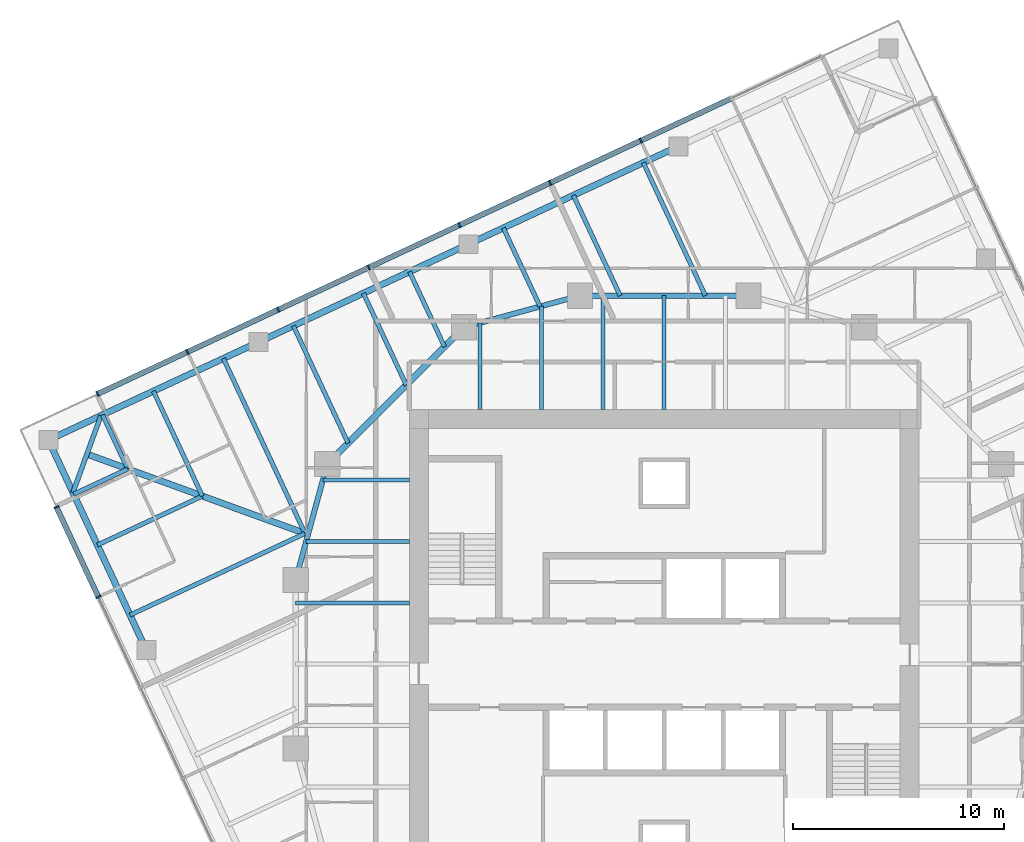
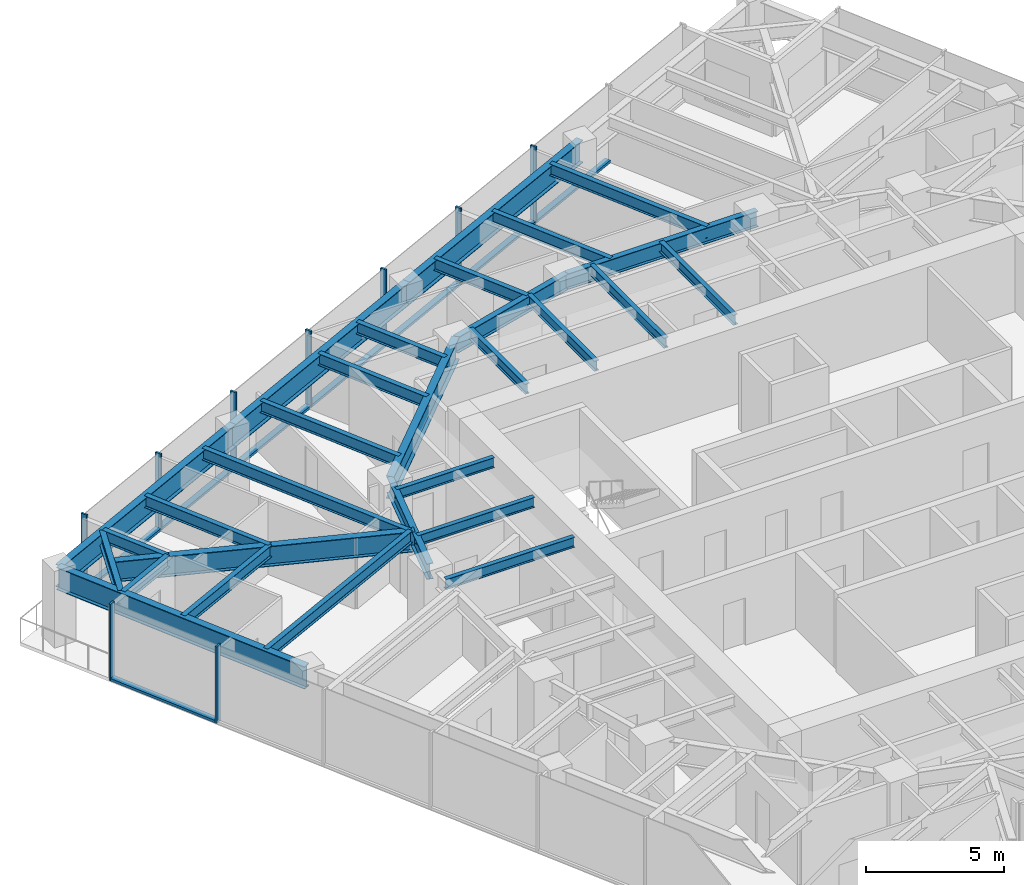
# One storey, part 4 of 13: 29 beams, 17 members, 2 elements without a shape of their own.
"""IFC4 building model written with IfcOpenShell, lengths in metres."""

from ifc_helpers import new_model, si_unit, direction, frame, origin, origin_2d, place, context, subcontext, project, spatial, rectangle, i_section, extrude, material, material_profile, profile_set, type_object, element, aggregate, save


model = new_model("IFC4")

# Units and contexts
model_context = context("Model", 3, precision=1e-05, world=origin(), true_north=direction((0.0, 1.0)))
body_context = subcontext(model_context, "Body", "Model", "MODEL_VIEW")
ifc_project = project(units=[si_unit("LENGTHUNIT", "METRE"), si_unit("AREAUNIT", "SQUARE_METRE"), si_unit("VOLUMEUNIT", "CUBIC_METRE"), si_unit("PLANEANGLEUNIT", "RADIAN"), si_unit("MASSUNIT", "GRAM", prefix="KILO")], contexts=[model_context])

# Site, building, storey
site_placement = place(None, origin())
site = spatial("IfcSite", under=ifc_project, at=site_placement, CompositionType="ELEMENT")
building_placement = place(site_placement, origin())
building = spatial("IfcBuilding", under=site, at=building_placement, Name="Torsade Residences", CompositionType="ELEMENT")
storey_placement = place(building_placement, frame((0.0, 0.0, 176.0)))
storey = spatial("IfcBuildingStorey", under=building, at=storey_placement, Name="L48", CompositionType="ELEMENT", Elevation=176.0)

# Beams
ifc_material_1 = material(Name="Steel grade 300", Category="steel")
ifc_material_profile_1 = material_profile(ifc_material_1, i_section(OverallWidth=0.300048828125, OverallDepth=0.89990234375, WebThickness=0.011962890625, FlangeThickness=0.02490234375, at=origin_2d()), Name="900WB175")
ifc_profile_set_1 = profile_set([ifc_material_profile_1], Name="Steel grade 300")
beam_type_1 = type_object("IfcBeamType", Name="CORNER GIRDER 900WB175", PredefinedType="BEAM", material=ifc_profile_set_1)
beam_1_placement = place(storey_placement, frame((12.5908203125, 39.97607421875, 2.800048828125), z_axis=(0.93969447651, -0.342015044723, 0.0), x_axis=(0.342015044723, 0.93969447651, 0.0)))
element("IfcBeam", 1, at=beam_1_placement, inside=storey, type_object=beam_type_1, Name="Corner girder 13 L49", PredefinedType="BEAM", context=body_context, shape_type="SweptSolid", body=[
    extrude(i_section(OverallWidth=0.300048828125, OverallDepth=0.89990234375, WebThickness=0.011962890625, FlangeThickness=0.02490234375, at=origin_2d()), origin(), (0.0, 0.0, 1.0), 11.170654296875),
])
ifc_material_2 = material(Name="Steel grade 300", Category="steel")
ifc_material_profile_2 = material_profile(ifc_material_2, i_section(OverallWidth=0.22802734375, OverallDepth=0.60205078125, WebThickness=0.010498046875, FlangeThickness=0.014892578125, FilletRadius=0.013916015625, at=origin_2d()), Name="610UB101")
ifc_profile_set_2 = profile_set([ifc_material_profile_2], Name="Steel grade 300")
beam_type_2 = type_object("IfcBeamType", Name="CORNER TRIMMER 610UB101", PredefinedType="BEAM", material=ifc_profile_set_2)
beam_2_placement = place(storey_placement, frame((11.92578125, 38.14892578125, 2.948974609375), z_axis=(0.342005152204, 0.939698076972, 0.0), x_axis=(-0.939698076972, 0.342005152204, 0.0)))
element("IfcBeam", 2, at=beam_2_placement, inside=storey, type_object=beam_type_2, Name="Corner trimmer 13 L49", PredefinedType="BEAM", context=body_context, shape_type="SweptSolid", body=[
    extrude(i_section(OverallWidth=0.22802734375, OverallDepth=0.60205078125, WebThickness=0.010498046875, FlangeThickness=0.014892578125, FilletRadius=0.013916015625, at=origin_2d()), origin(), (0.0, 0.0, 1.0), 3.88916015625),
])
ifc_material_3 = material(Name="Steel grade 300", Category="steel")
ifc_material_profile_3 = material_profile(ifc_material_3, i_section(OverallWidth=0.300048828125, OverallDepth=1.0, WebThickness=0.01611328125, FlangeThickness=0.028076171875, at=origin_2d()), Name="1000WB215")
ifc_profile_set_3 = profile_set([ifc_material_profile_3], Name="Steel grade 300")
beam_type_3 = type_object("IfcBeamType", Name="EDGE BEAM 1000WB215", PredefinedType="SPANDREL", material=ifc_profile_set_3)
beam_3_placement = place(storey_placement, frame((40.671875, 54.587646484375, 2.75), z_axis=(-0.906305009094, -0.422624219007, 0.0), x_axis=(0.422624219007, -0.906305009094, 0.0)))
element("IfcBeam", 3, at=beam_3_placement, inside=storey, type_object=beam_type_3, Name="Edge beam 10 L49", PredefinedType="SPANDREL", context=body_context, shape_type="SweptSolid", body=[
    extrude(i_section(OverallWidth=0.300048828125, OverallDepth=1.0, WebThickness=0.01611328125, FlangeThickness=0.028076171875, at=origin_2d()), origin(), (0.0, 0.0, 1.0), 11.000244140625),
])
for number, where, z_axis, x_axis, name in (
    (4, (30.702392578125, 49.938720703125, 2.75), (-0.906313510001, -0.422605988587, 0.0), (0.422605988587, -0.906313510001, 0.0), "Edge beam 11 L49"),
    (5, (20.73291015625, 45.2900390625, 2.75), (-0.90630104482, -0.422632720171, 0.0), (0.422632720171, -0.90630104482, 0.0), "Edge beam 12 L49"),
):
    element("IfcBeam", number, at=place(storey_placement, frame(where, z_axis=z_axis, x_axis=x_axis)), inside=storey, type_object=beam_type_3, Name=name, PredefinedType="SPANDREL", context=body_context, shape_type="SweptSolid", body=[
        extrude(i_section(OverallWidth=0.300048828125, OverallDepth=1.0, WebThickness=0.01611328125, FlangeThickness=0.028076171875, at=origin_2d()), origin(), (0.0, 0.0, 1.0), 11.0),
    ])
beam_4_placement = place(storey_placement, frame((10.763671875, 40.64111328125, 2.75), z_axis=(0.422614489543, -0.906309546032, 0.0), x_axis=(0.906309546032, 0.422614489543, 0.0)))
element("IfcBeam", 6, at=beam_4_placement, inside=storey, type_object=beam_type_3, Name="Edge beam 13 L49", PredefinedType="SPANDREL", context=body_context, shape_type="SweptSolid", body=[
    extrude(i_section(OverallWidth=0.300048828125, OverallDepth=1.0, WebThickness=0.01611328125, FlangeThickness=0.028076171875, at=origin_2d()), origin(), (0.0, 0.0, 1.0), 10.999755859375),
])
ifc_material_4 = material(Name="Steel grade 300", Category="steel")
ifc_material_profile_4 = material_profile(ifc_material_4, i_section(OverallWidth=0.18994140625, OverallDepth=0.4541015625, WebThickness=0.008544921875, FlangeThickness=0.0126953125, FilletRadius=0.011474609375, at=origin_2d()), Name="460UB67.1")
ifc_profile_set_4 = profile_set([ifc_material_profile_4], Name="Steel grade 300")
beam_type_4 = type_object("IfcBeamType", Name="INNER FLOOR BEAM 460UB67.1", PredefinedType="JOIST", material=ifc_profile_set_4)
beam_5_placement = place(storey_placement, frame((31.262451171875, 42.10009765625, 3.02294921875), z_axis=(0.0, 1.0, 0.0), x_axis=(-1.0, 0.0, 0.0)))
element("IfcBeam", 7, at=beam_5_placement, inside=storey, type_object=beam_type_4, Name="Inner floor beam IN01 L49", PredefinedType="JOIST", context=body_context, shape_type="SweptSolid", body=[
    extrude(i_section(OverallWidth=0.18994140625, OverallDepth=0.4541015625, WebThickness=0.008544921875, FlangeThickness=0.0126953125, FilletRadius=0.011474609375, at=origin_2d()), origin(), (0.0, 0.0, 1.0), 4.10791015625),
])
beam_6_placement = place(storey_placement, frame((34.175048828125, 42.10009765625, 3.02294921875), z_axis=(0.0, 1.0, 0.0), x_axis=(-1.0, 0.0, 0.0)))
element("IfcBeam", 8, at=beam_6_placement, inside=storey, type_object=beam_type_4, Name="Inner floor beam IN02 L49", PredefinedType="JOIST", context=body_context, shape_type="SweptSolid", body=[
    extrude(i_section(OverallWidth=0.18994140625, OverallDepth=0.4541015625, WebThickness=0.008544921875, FlangeThickness=0.0126953125, FilletRadius=0.011474609375, at=origin_2d()), origin(), (0.0, 0.0, 1.0), 4.902099609375),
])
for number, where, z_axis, x_axis, name in (
    (9, (37.08740234375, 42.10009765625, 3.02294921875), (0.0, 1.0, 0.0), (-1.0, 0.0, 0.0), "Inner floor beam IN03 L49"),
    (10, (40.0, 42.10009765625, 3.02294921875), (0.0, 1.0, 0.0), (-1.0, 0.0, 0.0), "Inner floor beam IN04 L49"),
):
    element("IfcBeam", number, at=place(storey_placement, frame(where, z_axis=z_axis, x_axis=x_axis)), inside=storey, type_object=beam_type_4, Name=name, PredefinedType="JOIST", context=body_context, shape_type="SweptSolid", body=[
        extrude(i_section(OverallWidth=0.18994140625, OverallDepth=0.4541015625, WebThickness=0.008544921875, FlangeThickness=0.0126953125, FilletRadius=0.011474609375, at=origin_2d()), origin(), (0.0, 0.0, 1.0), 5.39990234375),
    ])
beam_7_placement = place(storey_placement, frame((27.89990234375, 38.737548828125, 3.02294921875), z_axis=(-1.0, 0.0, 0.0), x_axis=(0.0, -1.0, 0.0)))
element("IfcBeam", 11, at=beam_7_placement, inside=storey, type_object=beam_type_4, Name="Inner floor beam IW01 L49", PredefinedType="JOIST", context=body_context, shape_type="SweptSolid", body=[
    extrude(i_section(OverallWidth=0.18994140625, OverallDepth=0.4541015625, WebThickness=0.008544921875, FlangeThickness=0.0126953125, FilletRadius=0.011474609375, at=origin_2d()), origin(), (0.0, 0.0, 1.0), 4.10791015625),
])
beam_8_placement = place(storey_placement, frame((27.89990234375, 35.824951171875, 3.02294921875), z_axis=(-1.0, 0.0, 0.0), x_axis=(0.0, -1.0, 0.0)))
element("IfcBeam", 12, at=beam_8_placement, inside=storey, type_object=beam_type_4, Name="Inner floor beam IW02 L49", PredefinedType="JOIST", context=body_context, shape_type="SweptSolid", body=[
    extrude(i_section(OverallWidth=0.18994140625, OverallDepth=0.4541015625, WebThickness=0.008544921875, FlangeThickness=0.0126953125, FilletRadius=0.011474609375, at=origin_2d()), origin(), (0.0, 0.0, 1.0), 4.902099609375),
])
beam_9_placement = place(storey_placement, frame((27.89990234375, 32.91259765625, 3.02294921875), z_axis=(-1.0, 0.0, 0.0), x_axis=(0.0, -1.0, 0.0)))
element("IfcBeam", 13, at=beam_9_placement, inside=storey, type_object=beam_type_4, Name="Inner floor beam IW03 L49", PredefinedType="JOIST", context=body_context, shape_type="SweptSolid", body=[
    extrude(i_section(OverallWidth=0.18994140625, OverallDepth=0.4541015625, WebThickness=0.008544921875, FlangeThickness=0.0126953125, FilletRadius=0.011474609375, at=origin_2d()), origin(), (0.0, 0.0, 1.0), 5.39990234375),
])

# Curtain wall, members
ifc_material_5 = material(Name="Aluminium and glass", Category="aluminium")
curtain_wall_type = type_object("IfcCurtainWallType", Name="FRITTED GLASS CURTAIN WALL MID ZONE", PredefinedType="NOTDEFINED", material=ifc_material_5)
curtain_wall_1_placement = place(storey_placement, origin())
curtain_wall_1 = element("IfcCurtainWall", 14, at=curtain_wall_1_placement, inside=storey, type_object=curtain_wall_type, Name="Curtain wall L48 face 7", PredefinedType="NOTDEFINED")
ifc_material_6 = material(Name="Aluminium mullion", Category="aluminium")
ifc_material_profile_5 = material_profile(ifc_material_6, rectangle(XDim=0.25, YDim=0.080078125, at=origin_2d()), Name="MID ZONE CURTAIN WALL MULLION 250x80")
ifc_profile_set_5 = profile_set([ifc_material_profile_5], Name="Aluminium mullion")
member_type_1 = type_object("IfcMemberType", Name="MID ZONE CURTAIN WALL MULLION 250x80", PredefinedType="MULLION", material=ifc_profile_set_5)
member_1_placement = place(storey_placement, frame((38.8896484375, 54.85986328125, 0.0), z_axis=(0.0, 0.0, 1.0), x_axis=(0.422618261978, -0.906307786926, 0.0)))
member_1 = element("IfcMember", 15, at=member_1_placement, type_object=member_type_1, Name="Mullion 3", PredefinedType="MULLION", context=body_context, shape_type="SweptSolid", body=[
    extrude(rectangle(XDim=0.25, YDim=0.080078125, at=origin_2d()), origin(), (0.0, 0.0, 1.0), 3.39990234375),
])
member_2_placement = place(storey_placement, frame((34.584716796875, 52.8525390625, 0.0), z_axis=(0.0, 0.0, 1.0), x_axis=(0.422618261978, -0.906307786926, 0.0)))
member_2 = element("IfcMember", 16, at=member_2_placement, type_object=member_type_1, Name="Mullion 4", PredefinedType="MULLION", context=body_context, shape_type="SweptSolid", body=[
    extrude(rectangle(XDim=0.25, YDim=0.080078125, at=origin_2d()), origin(), (0.0, 0.0, 1.0), 3.39990234375),
])
member_3_placement = place(storey_placement, frame((30.27978515625, 50.844970703125, 0.0), z_axis=(0.0, 0.0, 1.0), x_axis=(0.422618261978, -0.906307786926, 0.0)))
member_3 = element("IfcMember", 17, at=member_3_placement, type_object=member_type_1, Name="Mullion 5", PredefinedType="MULLION", context=body_context, shape_type="SweptSolid", body=[
    extrude(rectangle(XDim=0.25, YDim=0.080078125, at=origin_2d()), origin(), (0.0, 0.0, 1.0), 3.39990234375),
])
member_4_placement = place(storey_placement, frame((25.974853515625, 48.837646484375, 0.0), z_axis=(0.0, 0.0, 1.0), x_axis=(0.422618261978, -0.906307786926, 0.0)))
member_4 = element("IfcMember", 18, at=member_4_placement, type_object=member_type_1, Name="Mullion 6", PredefinedType="MULLION", context=body_context, shape_type="SweptSolid", body=[
    extrude(rectangle(XDim=0.25, YDim=0.080078125, at=origin_2d()), origin(), (0.0, 0.0, 1.0), 3.39990234375),
])
member_5_placement = place(storey_placement, frame((21.669921875, 46.830322265625, 0.0), z_axis=(0.0, 0.0, 1.0), x_axis=(0.422618261978, -0.906307786926, 0.0)))
member_5 = element("IfcMember", 19, at=member_5_placement, type_object=member_type_1, Name="Mullion 7", PredefinedType="MULLION", context=body_context, shape_type="SweptSolid", body=[
    extrude(rectangle(XDim=0.25, YDim=0.080078125, at=origin_2d()), origin(), (0.0, 0.0, 1.0), 3.39990234375),
])
member_6_placement = place(storey_placement, frame((17.364990234375, 44.82275390625, 0.0), z_axis=(0.0, 0.0, 1.0), x_axis=(0.422618261978, -0.906307786926, 0.0)))
member_6 = element("IfcMember", 20, at=member_6_placement, type_object=member_type_1, Name="Mullion 8", PredefinedType="MULLION", context=body_context, shape_type="SweptSolid", body=[
    extrude(rectangle(XDim=0.25, YDim=0.080078125, at=origin_2d()), origin(), (0.0, 0.0, 1.0), 3.39990234375),
])
member_7_placement = place(storey_placement, frame((13.09619140625, 42.832275390625, 0.0), z_axis=(0.0, 0.0, 1.0), x_axis=(0.422618261978, -0.906307786926, 0.0)))
member_7 = element("IfcMember", 21, at=member_7_placement, type_object=member_type_1, Name="Mullion 9", PredefinedType="MULLION", context=body_context, shape_type="SweptSolid", body=[
    extrude(rectangle(XDim=0.25, YDim=0.080078125, at=origin_2d()), origin(), (0.0, 0.0, 1.0), 3.39990234375),
])

curtain_wall_2_placement = place(storey_placement, origin())
curtain_wall_2 = element("IfcCurtainWall", 22, at=curtain_wall_2_placement, inside=storey, type_object=curtain_wall_type, Name="Curtain wall L48 face 10", PredefinedType="NOTDEFINED")
member_8_placement = place(storey_placement, frame((11.14208984375, 37.46337890625, 0.0), z_axis=(0.0, 0.0, 1.0), x_axis=(0.906307786926, 0.422618261978, 0.0)))
member_8 = element("IfcMember", 23, at=member_8_placement, type_object=member_type_1, Name="Mullion 1", PredefinedType="MULLION", context=body_context, shape_type="SweptSolid", body=[
    extrude(rectangle(XDim=0.25, YDim=0.080078125, at=origin_2d()), origin(), (0.0, 0.0, 1.0), 3.39990234375),
])
member_9_placement = place(storey_placement, frame((13.132568359375, 33.194580078125, 0.0), z_axis=(0.0, 0.0, 1.0), x_axis=(0.906307786926, 0.422618261978, 0.0)))
member_9 = element("IfcMember", 24, at=member_9_placement, type_object=member_type_1, Name="Mullion 2", PredefinedType="MULLION", context=body_context, shape_type="SweptSolid", body=[
    extrude(rectangle(XDim=0.25, YDim=0.080078125, at=origin_2d()), origin(), (0.0, 0.0, 1.0), 3.39990234375),
])

# Member
ifc_material_7 = material(Name="Aluminium transom", Category="aluminium")
ifc_material_profile_6 = material_profile(ifc_material_7, rectangle(XDim=0.25, YDim=0.110107421875, at=origin_2d()), Name="MID ZONE CURTAIN WALL TRANSOM 250x110")
ifc_profile_set_6 = profile_set([ifc_material_profile_6], Name="Aluminium transom")
member_type_2 = type_object("IfcMemberType", Name="MID ZONE CURTAIN WALL TRANSOM 250x110", PredefinedType="USERDEFINED", material=ifc_profile_set_6)
member_10_placement = place(storey_placement, frame((43.158447265625, 56.8505859375, 0.054931640625), z_axis=(-0.906305976097, -0.422622145291, 0.0), x_axis=(0.422622145291, -0.906305976097, 0.0)))
member_10 = element("IfcMember", 25, at=member_10_placement, type_object=member_type_2, Name="Transom 2.1", ObjectType="TRANSOM", PredefinedType="USERDEFINED", context=body_context, shape_type="SweptSolid", body=[
    extrude(rectangle(XDim=0.25, YDim=0.110107421875, at=origin_2d()), origin(), (0.0, 0.0, 1.0), 4.669921875),
])

member_11_placement = place(storey_placement, frame((38.853515625, 54.843017578125, 0.054931640625), z_axis=(-0.906305976097, -0.422622145291, 0.0), x_axis=(0.422622145291, -0.906305976097, 0.0)))
member_11 = element("IfcMember", 26, at=member_11_placement, type_object=member_type_2, Name="Transom 3.1", ObjectType="TRANSOM", PredefinedType="USERDEFINED", context=body_context, shape_type="SweptSolid", body=[
    extrude(rectangle(XDim=0.25, YDim=0.110107421875, at=origin_2d()), origin(), (0.0, 0.0, 1.0), 4.669921875),
])

member_12_placement = place(storey_placement, frame((34.548583984375, 52.835693359375, 0.054931640625), z_axis=(-0.90631531293, -0.422602122035, 0.0), x_axis=(0.422602122035, -0.90631531293, 0.0)))
member_12 = element("IfcMember", 27, at=member_12_placement, type_object=member_type_2, Name="Transom 4.1", ObjectType="TRANSOM", PredefinedType="USERDEFINED", context=body_context, shape_type="SweptSolid", body=[
    extrude(rectangle(XDim=0.25, YDim=0.110107421875, at=origin_2d()), origin(), (0.0, 0.0, 1.0), 4.670166015625),
])

member_13_placement = place(storey_placement, frame((30.243408203125, 50.828125, 0.054931640625), z_axis=(-0.906305976097, -0.422622145291, 0.0), x_axis=(0.422622145291, -0.906305976097, 0.0)))
member_13 = element("IfcMember", 28, at=member_13_placement, type_object=member_type_2, Name="Transom 5.1", ObjectType="TRANSOM", PredefinedType="USERDEFINED", context=body_context, shape_type="SweptSolid", body=[
    extrude(rectangle(XDim=0.25, YDim=0.110107421875, at=origin_2d()), origin(), (0.0, 0.0, 1.0), 4.669921875),
])

member_14_placement = place(storey_placement, frame((25.9384765625, 48.82080078125, 0.054931640625), z_axis=(-0.906305976097, -0.422622145291, 0.0), x_axis=(0.422622145291, -0.906305976097, 0.0)))
member_14 = element("IfcMember", 29, at=member_14_placement, type_object=member_type_2, Name="Transom 6.1", ObjectType="TRANSOM", PredefinedType="USERDEFINED", context=body_context, shape_type="SweptSolid", body=[
    extrude(rectangle(XDim=0.25, YDim=0.110107421875, at=origin_2d()), origin(), (0.0, 0.0, 1.0), 4.669921875),
])

member_15_placement = place(storey_placement, frame((21.633544921875, 46.813232421875, 0.054931640625), z_axis=(-0.906305976097, -0.422622145291, 0.0), x_axis=(0.422622145291, -0.906305976097, 0.0)))
member_15 = element("IfcMember", 30, at=member_15_placement, type_object=member_type_2, Name="Transom 7.1", ObjectType="TRANSOM", PredefinedType="USERDEFINED", context=body_context, shape_type="SweptSolid", body=[
    extrude(rectangle(XDim=0.25, YDim=0.110107421875, at=origin_2d()), origin(), (0.0, 0.0, 1.0), 4.669921875),
])

member_16_placement = place(storey_placement, frame((17.32861328125, 44.805908203125, 0.054931640625), z_axis=(-0.906305687176, -0.422622764878, 0.0), x_axis=(0.422622764878, -0.906305687176, 0.0)))
member_16 = element("IfcMember", 31, at=member_16_placement, type_object=member_type_2, Name="Transom 8.1", ObjectType="TRANSOM", PredefinedType="USERDEFINED", context=body_context, shape_type="SweptSolid", body=[
    extrude(rectangle(XDim=0.25, YDim=0.110107421875, at=origin_2d()), origin(), (0.0, 0.0, 1.0), 4.630126953125),
])

aggregate(curtain_wall_1, [member_1, member_2, member_3, member_4, member_5, member_6, member_7, member_10, member_11, member_12, member_13, member_14, member_15, member_16])

member_17_placement = place(storey_placement, frame((11.158935546875, 37.427001953125, 0.054931640625), z_axis=(0.422642962277, -0.906296268578, 0.0), x_axis=(0.906296268578, 0.422642962277, 0.0)))
member_17 = element("IfcMember", 32, at=member_17_placement, type_object=member_type_2, Name="Transom 1.1", ObjectType="TRANSOM", PredefinedType="USERDEFINED", context=body_context, shape_type="SweptSolid", body=[
    extrude(rectangle(XDim=0.25, YDim=0.110107421875, at=origin_2d()), origin(), (0.0, 0.0, 1.0), 4.6298828125),
])

aggregate(curtain_wall_2, [member_8, member_9, member_17])

# Beams
ifc_material_8 = material(Name="Steel grade 300", Category="steel")
ifc_material_profile_7 = material_profile(ifc_material_8, i_section(OverallWidth=0.300048828125, OverallDepth=1.0, WebThickness=0.01611328125, FlangeThickness=0.028076171875, at=origin_2d()), Name="1000WB215")
ifc_profile_set_7 = profile_set([ifc_material_profile_7], Name="Steel grade 300")
beam_type_5 = type_object("IfcBeamType", Name="RING CORNER GIRDER 1000WB215", PredefinedType="BEAM", material=ifc_profile_set_7)
beam_10_placement = place(storey_placement, frame((30.5, 46.0, 2.75), z_axis=(-0.707106781187, -0.707106781187, 0.0), x_axis=(0.707106781187, -0.707106781187, 0.0)))
element("IfcBeam", 33, at=beam_10_placement, inside=storey, type_object=beam_type_5, Name="Ring girder IR07 L49", PredefinedType="BEAM", context=body_context, shape_type="SweptSolid", body=[
    extrude(i_section(OverallWidth=0.300048828125, OverallDepth=1.0, WebThickness=0.01611328125, FlangeThickness=0.028076171875, at=origin_2d()), origin(), (0.0, 0.0, 1.0), 9.1923828125),
])
ifc_material_9 = material(Name="Steel grade 300", Category="steel")
ifc_material_profile_8 = material_profile(ifc_material_9, i_section(OverallWidth=0.25, OverallDepth=0.699951171875, WebThickness=0.010009765625, FlangeThickness=0.02001953125, at=origin_2d()), Name="700WB130")
ifc_profile_set_8 = profile_set([ifc_material_profile_8], Name="Steel grade 300")
beam_type_6 = type_object("IfcBeamType", Name="RING GIRDER 700WB130", PredefinedType="BEAM", material=ifc_profile_set_8)
beam_11_placement = place(storey_placement, frame((44.0, 47.5, 2.89990234375), z_axis=(-1.0, 0.0, 0.0), x_axis=(0.0, -1.0, 0.0)))
element("IfcBeam", 34, at=beam_11_placement, inside=storey, type_object=beam_type_6, Name="Ring girder IR05 L49", PredefinedType="BEAM", context=body_context, shape_type="SweptSolid", body=[
    extrude(i_section(OverallWidth=0.25, OverallDepth=0.699951171875, WebThickness=0.010009765625, FlangeThickness=0.02001953125, at=origin_2d()), origin(), (0.0, 0.0, 1.0), 8.0),
])
for number, where, z_axis, x_axis, name in (
    (35, (36.0, 47.5, 2.89990234375), (-0.964763821238, -0.263117405792, 0.0), (0.263117405792, -0.964763821238, 0.0), "Ring girder IR06 L49"),
    (36, (24.0, 39.5, 2.89990234375), (-0.263117405792, -0.964763821238, 0.0), (0.964763821238, -0.263117405792, 0.0), "Ring girder IR08 L49"),
):
    element("IfcBeam", number, at=place(storey_placement, frame(where, z_axis=z_axis, x_axis=x_axis)), inside=storey, type_object=beam_type_6, Name=name, PredefinedType="BEAM", context=body_context, shape_type="SweptSolid", body=[
        extrude(i_section(OverallWidth=0.25, OverallDepth=0.699951171875, WebThickness=0.010009765625, FlangeThickness=0.02001953125, at=origin_2d()), origin(), (0.0, 0.0, 1.0), 5.700927734375),
    ])
ifc_material_10 = material(Name="Steel grade 300", Category="steel")
ifc_material_profile_9 = material_profile(ifc_material_10, i_section(OverallWidth=0.208984375, OverallDepth=0.528076171875, WebThickness=0.009521484375, FlangeThickness=0.01318359375, FilletRadius=0.013916015625, at=origin_2d()), Name="530UB82.0")
ifc_profile_set_9 = profile_set([ifc_material_profile_9], Name="Steel grade 300")
beam_type_7 = type_object("IfcBeamType", Name="SECONDARY BEAM 530UB82.0", PredefinedType="JOIST", material=ifc_profile_set_9)
beam_12_placement = place(storey_placement, frame((39.01025390625, 53.812744140625, 2.986083984375), z_axis=(0.422609131726, -0.906312044376, 0.0), x_axis=(0.906312044376, 0.422609131726, 0.0)))
element("IfcBeam", 37, at=beam_12_placement, inside=storey, type_object=beam_type_7, Name="Floor beam FN04 L49", PredefinedType="JOIST", context=body_context, shape_type="SweptSolid", body=[
    extrude(i_section(OverallWidth=0.208984375, OverallDepth=0.528076171875, WebThickness=0.009521484375, FlangeThickness=0.01318359375, FilletRadius=0.013916015625, at=origin_2d()), origin(), (0.0, 0.0, 1.0), 6.96533203125),
])
beam_13_placement = place(storey_placement, frame((35.68701171875, 52.26318359375, 2.986083984375), z_axis=(0.422631142882, -0.90630178035, 0.0), x_axis=(0.90630178035, 0.422631142882, 0.0)))
element("IfcBeam", 38, at=beam_13_placement, inside=storey, type_object=beam_type_7, Name="Floor beam FN05 L49", PredefinedType="JOIST", context=body_context, shape_type="SweptSolid", body=[
    extrude(i_section(OverallWidth=0.208984375, OverallDepth=0.528076171875, WebThickness=0.009521484375, FlangeThickness=0.01318359375, FilletRadius=0.013916015625, at=origin_2d()), origin(), (0.0, 0.0, 1.0), 5.255615234375),
])
beam_14_placement = place(storey_placement, frame((32.364013671875, 50.713623046875, 2.986083984375), z_axis=(0.422635442612, -0.906299775267, 0.0), x_axis=(0.906299775267, 0.422635442612, 0.0)))
element("IfcBeam", 39, at=beam_14_placement, inside=storey, type_object=beam_type_7, Name="Floor beam FN06 L49", PredefinedType="JOIST", context=body_context, shape_type="SweptSolid", body=[
    extrude(i_section(OverallWidth=0.208984375, OverallDepth=0.528076171875, WebThickness=0.009521484375, FlangeThickness=0.01318359375, FilletRadius=0.013916015625, at=origin_2d()), origin(), (0.0, 0.0, 1.0), 4.116455078125),
])
beam_15_placement = place(storey_placement, frame((27.907958984375, 48.6357421875, 2.986083984375), z_axis=(0.422644222818, -0.906295680735, 0.0), x_axis=(0.906295680735, 0.422644222818, 0.0)))
element("IfcBeam", 40, at=beam_15_placement, inside=storey, type_object=beam_type_7, Name="Floor beam FN07 L49", PredefinedType="JOIST", context=body_context, shape_type="SweptSolid", body=[
    extrude(i_section(OverallWidth=0.208984375, OverallDepth=0.528076171875, WebThickness=0.009521484375, FlangeThickness=0.01318359375, FilletRadius=0.013916015625, at=origin_2d()), origin(), (0.0, 0.0, 1.0), 3.933837890625),
])
beam_16_placement = place(storey_placement, frame((25.7177734375, 47.6142578125, 2.986083984375), z_axis=(0.422618876857, -0.906307500203, 0.0), x_axis=(0.906307500203, 0.422618876857, 0.0)))
element("IfcBeam", 41, at=beam_16_placement, inside=storey, type_object=beam_type_7, Name="Floor beam FN08 L49", PredefinedType="JOIST", context=body_context, shape_type="SweptSolid", body=[
    extrude(i_section(OverallWidth=0.208984375, OverallDepth=0.528076171875, WebThickness=0.009521484375, FlangeThickness=0.01318359375, FilletRadius=0.013916015625, at=origin_2d()), origin(), (0.0, 0.0, 1.0), 4.813232421875),
])
beam_17_placement = place(storey_placement, frame((22.39453125, 46.064697265625, 2.986083984375), z_axis=(0.42264848683, -0.906293692233, 0.0), x_axis=(0.906293692233, 0.42264848683, 0.0)))
element("IfcBeam", 42, at=beam_17_placement, inside=storey, type_object=beam_type_7, Name="Floor beam FN09 L49", PredefinedType="JOIST", context=body_context, shape_type="SweptSolid", body=[
    extrude(i_section(OverallWidth=0.208984375, OverallDepth=0.528076171875, WebThickness=0.009521484375, FlangeThickness=0.01318359375, FilletRadius=0.013916015625, at=origin_2d()), origin(), (0.0, 0.0, 1.0), 6.14794921875),
])
beam_18_placement = place(storey_placement, frame((19.071533203125, 44.51513671875, 2.986083984375), z_axis=(0.422618627092, -0.90630761667, 0.0), x_axis=(0.90630761667, 0.422618627092, 0.0)))
element("IfcBeam", 43, at=beam_18_placement, inside=storey, type_object=beam_type_7, Name="Floor beam FN10 L49", PredefinedType="JOIST", context=body_context, shape_type="SweptSolid", body=[
    extrude(i_section(OverallWidth=0.208984375, OverallDepth=0.528076171875, WebThickness=0.009521484375, FlangeThickness=0.01318359375, FilletRadius=0.013916015625, at=origin_2d()), origin(), (0.0, 0.0, 1.0), 9.166748046875),
])
beam_19_placement = place(storey_placement, frame((15.748291015625, 42.965576171875, 2.986083984375), z_axis=(0.422632720171, -0.90630104482, 0.0), x_axis=(0.90630104482, 0.422632720171, 0.0)))
element("IfcBeam", 44, at=beam_19_placement, inside=storey, type_object=beam_type_7, Name="Floor beam FN11 L49", PredefinedType="JOIST", context=body_context, shape_type="SweptSolid", body=[
    extrude(i_section(OverallWidth=0.208984375, OverallDepth=0.528076171875, WebThickness=0.009521484375, FlangeThickness=0.01318359375, FilletRadius=0.013916015625, at=origin_2d()), origin(), (0.0, 0.0, 1.0), 5.5),
])
for number, where, z_axis, x_axis, name in (
    (45, (13.33154296875, 41.838623046875, 2.986083984375), (0.42257409885, -0.906328379221, 0.0), (0.906328379221, 0.42257409885, 0.0), "Floor beam FN12 L49"),
    (46, (11.9609375, 38.0732421875, 2.986083984375), (0.906295375613, 0.422644877104, 0.0), (-0.422644877104, 0.906295375613, 0.0), "Floor beam FW01 L49"),
):
    element("IfcBeam", number, at=place(storey_placement, frame(where, z_axis=z_axis, x_axis=x_axis)), inside=storey, type_object=beam_type_7, Name=name, PredefinedType="JOIST", context=body_context, shape_type="SweptSolid", body=[
        extrude(i_section(OverallWidth=0.208984375, OverallDepth=0.528076171875, WebThickness=0.009521484375, FlangeThickness=0.01318359375, FilletRadius=0.013916015625, at=origin_2d()), origin(), (0.0, 0.0, 1.0), 2.833251953125),
    ])
beam_20_placement = place(storey_placement, frame((13.088134765625, 35.656494140625, 2.986083984375), z_axis=(0.90630104482, 0.422632720171, 0.0), x_axis=(-0.422632720171, 0.90630104482, 0.0)))
element("IfcBeam", 47, at=beam_20_placement, inside=storey, type_object=beam_type_7, Name="Floor beam FW02 L49", PredefinedType="JOIST", context=body_context, shape_type="SweptSolid", body=[
    extrude(i_section(OverallWidth=0.208984375, OverallDepth=0.528076171875, WebThickness=0.009521484375, FlangeThickness=0.01318359375, FilletRadius=0.013916015625, at=origin_2d()), origin(), (0.0, 0.0, 1.0), 5.5),
])
beam_21_placement = place(storey_placement, frame((14.6376953125, 32.333251953125, 2.986083984375), z_axis=(0.90630761667, 0.422618627092, 0.0), x_axis=(-0.422618627092, 0.90630761667, 0.0)))
element("IfcBeam", 48, at=beam_21_placement, inside=storey, type_object=beam_type_7, Name="Floor beam FW03 L49", PredefinedType="JOIST", context=body_context, shape_type="SweptSolid", body=[
    extrude(i_section(OverallWidth=0.208984375, OverallDepth=0.528076171875, WebThickness=0.009521484375, FlangeThickness=0.01318359375, FilletRadius=0.013916015625, at=origin_2d()), origin(), (0.0, 0.0, 1.0), 9.166748046875),
])

save(model, "model.ifc")
